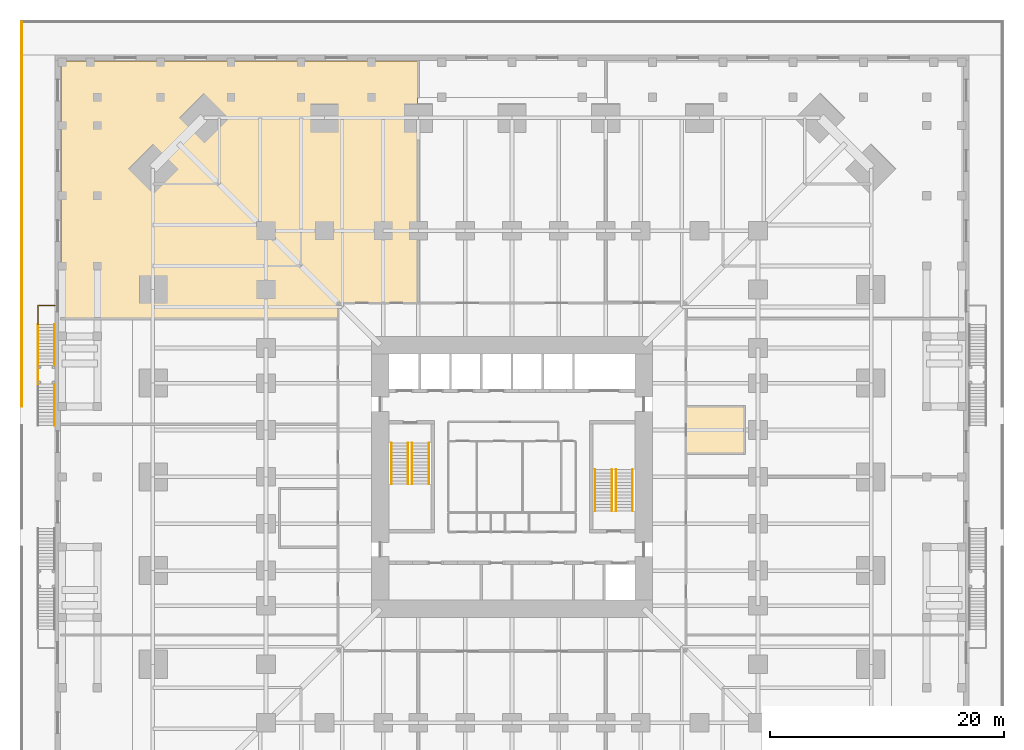
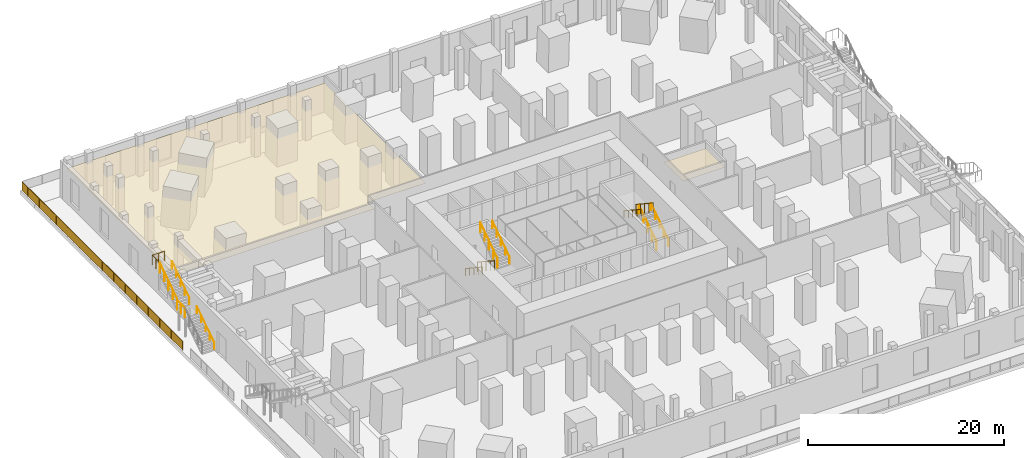
# One storey, part 19 of 22: 14 railings, 2 coverings.
"""IFC4 building model written with IfcOpenShell, lengths in metres."""

from ifc_helpers import new_model, si_unit, direction, frame, origin, origin_2d, place, context, subcontext, project, spatial, polyline, rectangle, circle, outline, extrude, material, layer, layer_set, type_object, element, save


model = new_model("IFC4")

# Units and contexts
model_context = context("Model", 3, precision=1e-05, world=origin(), true_north=direction((0.0, 1.0)))
body_context = subcontext(model_context, "Body", "Model", "MODEL_VIEW")
ifc_project = project(units=[si_unit("LENGTHUNIT", "METRE"), si_unit("AREAUNIT", "SQUARE_METRE"), si_unit("VOLUMEUNIT", "CUBIC_METRE"), si_unit("PLANEANGLEUNIT", "RADIAN"), si_unit("MASSUNIT", "GRAM", prefix="KILO")], contexts=[model_context])

# Site, building, storey
site_placement = place(None, origin())
site = spatial("IfcSite", under=ifc_project, at=site_placement, CompositionType="ELEMENT")
building_placement = place(site_placement, origin())
building = spatial("IfcBuilding", under=site, at=building_placement, Name="Peilmerk Tower", CompositionType="ELEMENT")
storey_placement = place(building_placement, frame((0.0, 0.0, 6.0)))
storey = spatial("IfcBuildingStorey", under=building, at=storey_placement, Name="L01", CompositionType="ELEMENT", Elevation=6.0)

# Coverings
ifc_material_1 = material(Name="Mineral fibre ceiling tiles", Category="mineral")
ifc_layer = layer(ifc_material_1, 0.02490234375)
ifc_layer_set = layer_set([ifc_layer], Name="Mineral fibre ceiling tiles")
covering_type = type_object("IfcCoveringType", Name="CL1 25 suspended ceiling", PredefinedType="CEILING", material=ifc_layer_set)
covering_1_placement = place(storey_placement, frame((0.0, 0.0, 3.625)))
element("IfcCovering", 1, at=covering_1_placement, inside=storey, type_object=covering_type, Name="Suspended ceiling Carrier reception", PredefinedType="CEILING", context=body_context, shape_type="SweptSolid", body=[
    extrude(outline(polyline([(-38.5, 35.5), (-38.5, 13.550048828125), (-14.89990234375, 13.550048828125), (-14.89990234375, 14.89990234375), (-8.050048828125, 14.89990234375), (-8.050048828125, 35.5), (-38.5, 35.5)])), origin(), (0.0, 0.0, 1.0), 0.02490234375),
])
covering_2_placement = place(storey_placement, frame((0.0, 0.0, 3.625)))
element("IfcCovering", 2, at=covering_2_placement, inside=storey, type_object=covering_type, Name="Suspended ceiling Customer meeting room", PredefinedType="CEILING", context=body_context, shape_type="SweptSolid", body=[
    extrude(outline(polyline([(19.800048828125, 2.050048828125), (19.800048828125, 5.949951171875), (14.89990234375, 5.949951171875), (14.89990234375, 2.050048828125), (19.800048828125, 2.050048828125)])), origin(), (0.0, 0.0, 1.0), 0.02490234375),
])

# Railings
ifc_material_2 = material(Name="Steel flat bar balustrade", Category="steel")
railing_type_1 = type_object("IfcRailingType", Name="GR1 1200 stair guard", PredefinedType="GUARDRAIL", material=ifc_material_2)
railing_1_placement = place(storey_placement, frame((-8.8798828125, 2.89990234375, 0.178466796875)))
element("IfcRailing", 3, at=railing_1_placement, inside=storey, type_object=railing_type_1, Name="Guard stair 1 L01", PredefinedType="GUARDRAIL", context=body_context, shape_type="SweptSolid", body=[
    extrude(circle(Radius=0.02392578125, at=origin_2d()), frame((0.0, 0.0, 1.17578125), z_axis=(0.0, -0.834070780157, 0.551657442339), x_axis=(1.0, 0.0, 0.0)), (0.0, 0.0, 1.0), 4.208251953125),
    extrude(circle(Radius=0.02099609375, at=origin_2d()), origin(), (0.0, 0.0, 1.0), 1.15185546875),
    extrude(circle(Radius=0.02099609375, at=origin_2d()), frame((0.0, -0.87744140625, 0.580322265625)), (0.0, 0.0, 1.0), 1.15185546875),
    extrude(circle(Radius=0.02099609375, at=origin_2d()), frame((0.0, -1.7548828125, 1.16064453125)), (0.0, 0.0, 1.0), 1.15185546875),
    extrude(circle(Radius=0.02099609375, at=origin_2d()), frame((0.0, -2.632568359375, 1.7412109375)), (0.0, 0.0, 1.0), 1.15185546875),
    extrude(circle(Radius=0.02099609375, at=origin_2d()), frame((0.0, -3.510009765625, 2.321533203125)), (0.0, 0.0, 1.0), 1.15185546875),
])
for number, where, name in (
    (4, (-8.52001953125, -0.610107421875, 2.678466796875), "Guard stair 1 L01"),
    (5, (8.8798828125, -2.89990234375, 0.178466796875), "Guard stair 2 L01"),
):
    element("IfcRailing", number, at=place(storey_placement, frame(where)), inside=storey, type_object=railing_type_1, Name=name, PredefinedType="GUARDRAIL", context=body_context, shape_type="SweptSolid", body=[
        extrude(circle(Radius=0.02392578125, at=origin_2d()), frame((0.0, 0.0, 1.17578125), z_axis=(0.0, 0.834070780157, 0.551657442339), x_axis=(-1.0, 0.0, 0.0)), (0.0, 0.0, 1.0), 4.208251953125),
        extrude(circle(Radius=0.02099609375, at=origin_2d()), origin(), (0.0, 0.0, 1.0), 1.15185546875),
        extrude(circle(Radius=0.02099609375, at=origin_2d()), frame((0.0, 0.87744140625, 0.580322265625)), (0.0, 0.0, 1.0), 1.15185546875),
        extrude(circle(Radius=0.02099609375, at=origin_2d()), frame((0.0, 1.7548828125, 1.16064453125)), (0.0, 0.0, 1.0), 1.15185546875),
        extrude(circle(Radius=0.02099609375, at=origin_2d()), frame((0.0, 2.632568359375, 1.7412109375)), (0.0, 0.0, 1.0), 1.15185546875),
        extrude(circle(Radius=0.02099609375, at=origin_2d()), frame((0.0, 3.510009765625, 2.321533203125)), (0.0, 0.0, 1.0), 1.15185546875),
    ])
railing_2_placement = place(storey_placement, frame((8.52001953125, 0.610107421875, 2.678466796875)))
element("IfcRailing", 6, at=railing_2_placement, inside=storey, type_object=railing_type_1, Name="Guard stair 2 L01", PredefinedType="GUARDRAIL", context=body_context, shape_type="SweptSolid", body=[
    extrude(circle(Radius=0.02392578125, at=origin_2d()), frame((0.0, 0.0, 1.17578125), z_axis=(0.0, -0.834070780157, 0.551657442339), x_axis=(1.0, 0.0, 0.0)), (0.0, 0.0, 1.0), 4.208251953125),
    extrude(circle(Radius=0.02099609375, at=origin_2d()), origin(), (0.0, 0.0, 1.0), 1.15185546875),
    extrude(circle(Radius=0.02099609375, at=origin_2d()), frame((0.0, -0.87744140625, 0.580322265625)), (0.0, 0.0, 1.0), 1.15185546875),
    extrude(circle(Radius=0.02099609375, at=origin_2d()), frame((0.0, -1.7548828125, 1.16064453125)), (0.0, 0.0, 1.0), 1.15185546875),
    extrude(circle(Radius=0.02099609375, at=origin_2d()), frame((0.0, -2.632568359375, 1.7412109375)), (0.0, 0.0, 1.0), 1.15185546875),
    extrude(circle(Radius=0.02099609375, at=origin_2d()), frame((0.0, -3.510009765625, 2.321533203125)), (0.0, 0.0, 1.0), 1.15185546875),
])
railing_3_placement = place(storey_placement, frame((-40.469970703125, 9.510009765625, 2.678466796875)))
element("IfcRailing", 7, at=railing_3_placement, inside=storey, type_object=railing_type_1, Name="Guard external stair 5 L01", PredefinedType="GUARDRAIL", context=body_context, shape_type="SweptSolid", body=[
    extrude(circle(Radius=0.02392578125, at=origin_2d()), frame((0.0, 0.0, 1.17578125), z_axis=(0.0, 0.834070780157, 0.551657442339), x_axis=(-1.0, 0.0, 0.0)), (0.0, 0.0, 1.0), 4.208251953125),
    extrude(circle(Radius=0.02099609375, at=origin_2d()), origin(), (0.0, 0.0, 1.0), 1.15185546875),
    extrude(circle(Radius=0.02099609375, at=origin_2d()), frame((0.0, 0.87744140625, 0.580322265625)), (0.0, 0.0, 1.0), 1.15185546875),
    extrude(circle(Radius=0.02099609375, at=origin_2d()), frame((0.0, 1.7548828125, 1.16064453125)), (0.0, 0.0, 1.0), 1.15185546875),
    extrude(circle(Radius=0.02099609375, at=origin_2d()), frame((0.0, 2.632568359375, 1.7412109375)), (0.0, 0.0, 1.0), 1.15185546875),
    extrude(circle(Radius=0.02099609375, at=origin_2d()), frame((0.0, 3.510009765625, 2.321533203125)), (0.0, 0.0, 1.0), 1.15185546875),
])
railing_4_placement = place(storey_placement, frame((-40.469970703125, 7.909912109375, 2.5)))
element("IfcRailing", 8, at=railing_4_placement, inside=storey, type_object=railing_type_1, Name="Guard external stair 5 L01", PredefinedType="GUARDRAIL", context=body_context, shape_type="SweptSolid", body=[
    extrude(circle(Radius=0.02392578125, at=origin_2d()), frame((0.0, 0.0, 1.17578125), z_axis=(0.0, 1.0, 0.0), x_axis=(-1.0, 0.0, 0.0)), (0.0, 0.0, 1.0), 1.60009765625),
    extrude(circle(Radius=0.02099609375, at=origin_2d()), origin(), (0.0, 0.0, 1.0), 1.15185546875),
    extrude(circle(Radius=0.02099609375, at=origin_2d()), frame((0.0, 0.800048828125, 0.0)), (0.0, 0.0, 1.0), 1.15185546875),
    extrude(circle(Radius=0.02099609375, at=origin_2d()), frame((0.0, 1.60009765625, 0.0)), (0.0, 0.0, 1.0), 1.15185546875),
])
railing_5_placement = place(storey_placement, frame((-40.469970703125, 13.02001953125, 5.0)))
element("IfcRailing", 9, at=railing_5_placement, inside=storey, type_object=railing_type_1, Name="Guard external stair 5 L01", PredefinedType="GUARDRAIL", context=body_context, shape_type="SweptSolid", body=[
    extrude(circle(Radius=0.02392578125, at=origin_2d()), frame((0.0, 0.0, 1.17578125), z_axis=(0.0, 1.0, 0.0), x_axis=(-1.0, 0.0, 0.0)), (0.0, 0.0, 1.0), 1.60009765625),
    extrude(circle(Radius=0.02392578125, at=origin_2d()), frame((0.0, 1.60009765625, 1.17578125), z_axis=(1.0, 0.0, 0.0), x_axis=(0.0, 1.0, 0.0)), (0.0, 0.0, 1.0), 1.43994140625),
    extrude(circle(Radius=0.02099609375, at=origin_2d()), origin(), (0.0, 0.0, 1.0), 1.15185546875),
    extrude(circle(Radius=0.02099609375, at=origin_2d()), frame((0.0, 0.800048828125, 0.0)), (0.0, 0.0, 1.0), 1.15185546875),
    extrude(circle(Radius=0.02099609375, at=origin_2d()), frame((0.0, 1.60009765625, 0.0)), (0.0, 0.0, 1.0), 1.15185546875),
    extrude(circle(Radius=0.02099609375, at=origin_2d()), frame((0.719970703125, 1.60009765625, 0.0)), (0.0, 0.0, 1.0), 1.15185546875),
    extrude(circle(Radius=0.02099609375, at=origin_2d()), frame((1.43994140625, 1.60009765625, 0.0)), (0.0, 0.0, 1.0), 1.15185546875),
])
ifc_material_3 = material(Name="Galvanised steel posts and top rail, laminated glass infill 16", Category="steel")
railing_type_2 = type_object("IfcRailingType", Name="GR2 1200 terrace balustrade", PredefinedType="BALUSTRADE", material=ifc_material_3)
railing_6_placement = place(storey_placement, frame((-41.85009765625, 6.0, 0.0)))
element("IfcRailing", 10, at=railing_6_placement, inside=storey, type_object=railing_type_2, Name="Terrace balustrade L01", PredefinedType="BALUSTRADE", context=body_context, shape_type="SweptSolid", body=[
    extrude(circle(Radius=0.02392578125, at=origin_2d()), frame((0.0, 0.0, 1.17578125), z_axis=(0.0, 1.0, 0.0), x_axis=(-1.0, 0.0, 0.0)), (0.0, 0.0, 1.0), 32.85009765625),
    extrude(circle(Radius=0.02099609375, at=origin_2d()), origin(), (0.0, 0.0, 1.0), 1.15185546875),
    extrude(circle(Radius=0.02099609375, at=origin_2d()), frame((0.0, 1.17333984375, 0.0)), (0.0, 0.0, 1.0), 1.15185546875),
    extrude(circle(Radius=0.02099609375, at=origin_2d()), frame((0.0, 2.346435546875, 0.0)), (0.0, 0.0, 1.0), 1.15185546875),
    extrude(circle(Radius=0.02099609375, at=origin_2d()), frame((0.0, 3.51953125, 0.0)), (0.0, 0.0, 1.0), 1.15185546875),
    extrude(circle(Radius=0.02099609375, at=origin_2d()), frame((0.0, 4.69287109375, 0.0)), (0.0, 0.0, 1.0), 1.15185546875),
    extrude(circle(Radius=0.02099609375, at=origin_2d()), frame((0.0, 5.8662109375, 0.0)), (0.0, 0.0, 1.0), 1.15185546875),
    extrude(circle(Radius=0.02099609375, at=origin_2d()), frame((0.0, 7.039306640625, 0.0)), (0.0, 0.0, 1.0), 1.15185546875),
    extrude(circle(Radius=0.02099609375, at=origin_2d()), frame((0.0, 8.21240234375, 0.0)), (0.0, 0.0, 1.0), 1.15185546875),
    extrude(circle(Radius=0.02099609375, at=origin_2d()), frame((0.0, 9.3857421875, 0.0)), (0.0, 0.0, 1.0), 1.15185546875),
    extrude(circle(Radius=0.02099609375, at=origin_2d()), frame((0.0, 10.55908203125, 0.0)), (0.0, 0.0, 1.0), 1.15185546875),
    extrude(circle(Radius=0.02099609375, at=origin_2d()), frame((0.0, 11.732177734375, 0.0)), (0.0, 0.0, 1.0), 1.15185546875),
    extrude(circle(Radius=0.02099609375, at=origin_2d()), frame((0.0, 12.9052734375, 0.0)), (0.0, 0.0, 1.0), 1.15185546875),
    extrude(circle(Radius=0.02099609375, at=origin_2d()), frame((0.0, 14.07861328125, 0.0)), (0.0, 0.0, 1.0), 1.15185546875),
    extrude(circle(Radius=0.02099609375, at=origin_2d()), frame((0.0, 15.251953125, 0.0)), (0.0, 0.0, 1.0), 1.15185546875),
    extrude(circle(Radius=0.02099609375, at=origin_2d()), frame((0.0, 16.425048828125, 0.0)), (0.0, 0.0, 1.0), 1.15185546875),
    extrude(circle(Radius=0.02099609375, at=origin_2d()), frame((0.0, 17.59814453125, 0.0)), (0.0, 0.0, 1.0), 1.15185546875),
    extrude(circle(Radius=0.02099609375, at=origin_2d()), frame((0.0, 18.771484375, 0.0)), (0.0, 0.0, 1.0), 1.15185546875),
    extrude(circle(Radius=0.02099609375, at=origin_2d()), frame((0.0, 19.94482421875, 0.0)), (0.0, 0.0, 1.0), 1.15185546875),
    extrude(circle(Radius=0.02099609375, at=origin_2d()), frame((0.0, 21.117919921875, 0.0)), (0.0, 0.0, 1.0), 1.15185546875),
    extrude(circle(Radius=0.02099609375, at=origin_2d()), frame((0.0, 22.291015625, 0.0)), (0.0, 0.0, 1.0), 1.15185546875),
    extrude(circle(Radius=0.02099609375, at=origin_2d()), frame((0.0, 23.46435546875, 0.0)), (0.0, 0.0, 1.0), 1.15185546875),
    extrude(circle(Radius=0.02099609375, at=origin_2d()), frame((0.0, 24.6376953125, 0.0)), (0.0, 0.0, 1.0), 1.15185546875),
    extrude(circle(Radius=0.02099609375, at=origin_2d()), frame((0.0, 25.810791015625, 0.0)), (0.0, 0.0, 1.0), 1.15185546875),
    extrude(circle(Radius=0.02099609375, at=origin_2d()), frame((0.0, 26.98388671875, 0.0)), (0.0, 0.0, 1.0), 1.15185546875),
    extrude(circle(Radius=0.02099609375, at=origin_2d()), frame((0.0, 28.1572265625, 0.0)), (0.0, 0.0, 1.0), 1.15185546875),
    extrude(circle(Radius=0.02099609375, at=origin_2d()), frame((0.0, 29.33056640625, 0.0)), (0.0, 0.0, 1.0), 1.15185546875),
    extrude(circle(Radius=0.02099609375, at=origin_2d()), frame((0.0, 30.503662109375, 0.0)), (0.0, 0.0, 1.0), 1.15185546875),
    extrude(circle(Radius=0.02099609375, at=origin_2d()), frame((0.0, 31.6767578125, 0.0)), (0.0, 0.0, 1.0), 1.15185546875),
    extrude(circle(Radius=0.02099609375, at=origin_2d()), frame((0.0, 32.85009765625, 0.0)), (0.0, 0.0, 1.0), 1.15185546875),
    extrude(rectangle(XDim=1.13134765625, YDim=0.01611328125, at=origin_2d()), frame((0.0, 0.586669921875, 0.050048828125), z_axis=(0.0, 0.0, 1.0), x_axis=(0.0, 1.0, 0.0)), (0.0, 0.0, 1.0), 1.101806640625),
    extrude(rectangle(XDim=1.13134765625, YDim=0.01611328125, at=origin_2d()), frame((0.0, 1.759765625, 0.050048828125), z_axis=(0.0, 0.0, 1.0), x_axis=(0.0, 1.0, 0.0)), (0.0, 0.0, 1.0), 1.101806640625),
    extrude(rectangle(XDim=1.13134765625, YDim=0.01611328125, at=origin_2d()), frame((0.0, 2.93310546875, 0.050048828125), z_axis=(0.0, 0.0, 1.0), x_axis=(0.0, 1.0, 0.0)), (0.0, 0.0, 1.0), 1.101806640625),
    extrude(rectangle(XDim=1.13134765625, YDim=0.01611328125, at=origin_2d()), frame((0.0, 4.106201171875, 0.050048828125), z_axis=(0.0, 0.0, 1.0), x_axis=(0.0, 1.0, 0.0)), (0.0, 0.0, 1.0), 1.101806640625),
    extrude(rectangle(XDim=1.13134765625, YDim=0.01611328125, at=origin_2d()), frame((0.0, 5.279541015625, 0.050048828125), z_axis=(0.0, 0.0, 1.0), x_axis=(0.0, 1.0, 0.0)), (0.0, 0.0, 1.0), 1.101806640625),
    extrude(rectangle(XDim=1.13134765625, YDim=0.01611328125, at=origin_2d()), frame((0.0, 6.45263671875, 0.050048828125), z_axis=(0.0, 0.0, 1.0), x_axis=(0.0, 1.0, 0.0)), (0.0, 0.0, 1.0), 1.101806640625),
    extrude(rectangle(XDim=1.13134765625, YDim=0.01611328125, at=origin_2d()), frame((0.0, 7.6259765625, 0.050048828125), z_axis=(0.0, 0.0, 1.0), x_axis=(0.0, 1.0, 0.0)), (0.0, 0.0, 1.0), 1.101806640625),
    extrude(rectangle(XDim=1.13134765625, YDim=0.01611328125, at=origin_2d()), frame((0.0, 8.799072265625, 0.050048828125), z_axis=(0.0, 0.0, 1.0), x_axis=(0.0, 1.0, 0.0)), (0.0, 0.0, 1.0), 1.101806640625),
    extrude(rectangle(XDim=1.13134765625, YDim=0.01611328125, at=origin_2d()), frame((0.0, 9.972412109375, 0.050048828125), z_axis=(0.0, 0.0, 1.0), x_axis=(0.0, 1.0, 0.0)), (0.0, 0.0, 1.0), 1.101806640625),
    extrude(rectangle(XDim=1.13134765625, YDim=0.01611328125, at=origin_2d()), frame((0.0, 11.1455078125, 0.050048828125), z_axis=(0.0, 0.0, 1.0), x_axis=(0.0, 1.0, 0.0)), (0.0, 0.0, 1.0), 1.101806640625),
    extrude(rectangle(XDim=1.13134765625, YDim=0.01611328125, at=origin_2d()), frame((0.0, 12.31884765625, 0.050048828125), z_axis=(0.0, 0.0, 1.0), x_axis=(0.0, 1.0, 0.0)), (0.0, 0.0, 1.0), 1.101806640625),
    extrude(rectangle(XDim=1.13134765625, YDim=0.01611328125, at=origin_2d()), frame((0.0, 13.491943359375, 0.050048828125), z_axis=(0.0, 0.0, 1.0), x_axis=(0.0, 1.0, 0.0)), (0.0, 0.0, 1.0), 1.101806640625),
    extrude(rectangle(XDim=1.13134765625, YDim=0.01611328125, at=origin_2d()), frame((0.0, 14.665283203125, 0.050048828125), z_axis=(0.0, 0.0, 1.0), x_axis=(0.0, 1.0, 0.0)), (0.0, 0.0, 1.0), 1.101806640625),
    extrude(rectangle(XDim=1.13134765625, YDim=0.01611328125, at=origin_2d()), frame((0.0, 15.83837890625, 0.050048828125), z_axis=(0.0, 0.0, 1.0), x_axis=(0.0, 1.0, 0.0)), (0.0, 0.0, 1.0), 1.101806640625),
    extrude(rectangle(XDim=1.13134765625, YDim=0.01611328125, at=origin_2d()), frame((0.0, 17.01171875, 0.050048828125), z_axis=(0.0, 0.0, 1.0), x_axis=(0.0, 1.0, 0.0)), (0.0, 0.0, 1.0), 1.101806640625),
    extrude(rectangle(XDim=1.13134765625, YDim=0.01611328125, at=origin_2d()), frame((0.0, 18.184814453125, 0.050048828125), z_axis=(0.0, 0.0, 1.0), x_axis=(0.0, 1.0, 0.0)), (0.0, 0.0, 1.0), 1.101806640625),
    extrude(rectangle(XDim=1.13134765625, YDim=0.01611328125, at=origin_2d()), frame((0.0, 19.358154296875, 0.050048828125), z_axis=(0.0, 0.0, 1.0), x_axis=(0.0, 1.0, 0.0)), (0.0, 0.0, 1.0), 1.101806640625),
    extrude(rectangle(XDim=1.13134765625, YDim=0.01611328125, at=origin_2d()), frame((0.0, 20.53125, 0.050048828125), z_axis=(0.0, 0.0, 1.0), x_axis=(0.0, 1.0, 0.0)), (0.0, 0.0, 1.0), 1.101806640625),
    extrude(rectangle(XDim=1.13134765625, YDim=0.01611328125, at=origin_2d()), frame((0.0, 21.70458984375, 0.050048828125), z_axis=(0.0, 0.0, 1.0), x_axis=(0.0, 1.0, 0.0)), (0.0, 0.0, 1.0), 1.101806640625),
    extrude(rectangle(XDim=1.13134765625, YDim=0.01611328125, at=origin_2d()), frame((0.0, 22.877685546875, 0.050048828125), z_axis=(0.0, 0.0, 1.0), x_axis=(0.0, 1.0, 0.0)), (0.0, 0.0, 1.0), 1.101806640625),
    extrude(rectangle(XDim=1.13134765625, YDim=0.01611328125, at=origin_2d()), frame((0.0, 24.051025390625, 0.050048828125), z_axis=(0.0, 0.0, 1.0), x_axis=(0.0, 1.0, 0.0)), (0.0, 0.0, 1.0), 1.101806640625),
    extrude(rectangle(XDim=1.13134765625, YDim=0.01611328125, at=origin_2d()), frame((0.0, 25.22412109375, 0.050048828125), z_axis=(0.0, 0.0, 1.0), x_axis=(0.0, 1.0, 0.0)), (0.0, 0.0, 1.0), 1.101806640625),
    extrude(rectangle(XDim=1.13134765625, YDim=0.01611328125, at=origin_2d()), frame((0.0, 26.3974609375, 0.050048828125), z_axis=(0.0, 0.0, 1.0), x_axis=(0.0, 1.0, 0.0)), (0.0, 0.0, 1.0), 1.101806640625),
    extrude(rectangle(XDim=1.13134765625, YDim=0.01611328125, at=origin_2d()), frame((0.0, 27.570556640625, 0.050048828125), z_axis=(0.0, 0.0, 1.0), x_axis=(0.0, 1.0, 0.0)), (0.0, 0.0, 1.0), 1.101806640625),
    extrude(rectangle(XDim=1.13134765625, YDim=0.01611328125, at=origin_2d()), frame((0.0, 28.743896484375, 0.050048828125), z_axis=(0.0, 0.0, 1.0), x_axis=(0.0, 1.0, 0.0)), (0.0, 0.0, 1.0), 1.101806640625),
    extrude(rectangle(XDim=1.13134765625, YDim=0.01611328125, at=origin_2d()), frame((0.0, 29.9169921875, 0.050048828125), z_axis=(0.0, 0.0, 1.0), x_axis=(0.0, 1.0, 0.0)), (0.0, 0.0, 1.0), 1.101806640625),
    extrude(rectangle(XDim=1.13134765625, YDim=0.01611328125, at=origin_2d()), frame((0.0, 31.09033203125, 0.050048828125), z_axis=(0.0, 0.0, 1.0), x_axis=(0.0, 1.0, 0.0)), (0.0, 0.0, 1.0), 1.101806640625),
    extrude(rectangle(XDim=1.13134765625, YDim=0.01611328125, at=origin_2d()), frame((0.0, 32.263427734375, 0.050048828125), z_axis=(0.0, 0.0, 1.0), x_axis=(0.0, 1.0, 0.0)), (0.0, 0.0, 1.0), 1.101806640625),
])
ifc_material_4 = material(Name="Stainless steel tube", Category="steel")
railing_type_3 = type_object("IfcRailingType", Name="HR1 900 stair handrail", PredefinedType="HANDRAIL", material=ifc_material_4)
railing_7_placement = place(storey_placement, frame((-10.300048828125, 2.89990234375, 0.178466796875)))
element("IfcRailing", 11, at=railing_7_placement, inside=storey, type_object=railing_type_3, Name="Handrail stair 1 L01", PredefinedType="HANDRAIL", context=body_context, shape_type="SweptSolid", body=[
    extrude(circle(Radius=0.02392578125, at=origin_2d()), frame((0.0, 0.0, 0.8759765625), z_axis=(0.0, -0.834070780157, 0.551657442339), x_axis=(1.0, 0.0, 0.0)), (0.0, 0.0, 1.0), 4.208251953125),
    extrude(circle(Radius=0.02099609375, at=origin_2d()), origin(), (0.0, 0.0, 1.0), 0.851806640625),
    extrude(circle(Radius=0.02099609375, at=origin_2d()), frame((0.0, -0.87744140625, 0.580322265625)), (0.0, 0.0, 1.0), 0.851806640625),
    extrude(circle(Radius=0.02099609375, at=origin_2d()), frame((0.0, -1.7548828125, 1.16064453125)), (0.0, 0.0, 1.0), 0.851806640625),
    extrude(circle(Radius=0.02099609375, at=origin_2d()), frame((0.0, -2.632568359375, 1.7412109375)), (0.0, 0.0, 1.0), 0.851806640625),
    extrude(circle(Radius=0.02099609375, at=origin_2d()), frame((0.0, -3.510009765625, 2.321533203125)), (0.0, 0.0, 1.0), 0.851806640625),
])
for number, where, name in (
    (12, (-7.10009765625, -0.610107421875, 2.678466796875), "Handrail stair 1 L01"),
    (13, (10.300048828125, -2.89990234375, 0.178466796875), "Handrail stair 2 L01"),
):
    element("IfcRailing", number, at=place(storey_placement, frame(where)), inside=storey, type_object=railing_type_3, Name=name, PredefinedType="HANDRAIL", context=body_context, shape_type="SweptSolid", body=[
        extrude(circle(Radius=0.02392578125, at=origin_2d()), frame((0.0, 0.0, 0.8759765625), z_axis=(0.0, 0.834070780157, 0.551657442339), x_axis=(-1.0, 0.0, 0.0)), (0.0, 0.0, 1.0), 4.208251953125),
        extrude(circle(Radius=0.02099609375, at=origin_2d()), origin(), (0.0, 0.0, 1.0), 0.851806640625),
        extrude(circle(Radius=0.02099609375, at=origin_2d()), frame((0.0, 0.87744140625, 0.580322265625)), (0.0, 0.0, 1.0), 0.851806640625),
        extrude(circle(Radius=0.02099609375, at=origin_2d()), frame((0.0, 1.7548828125, 1.16064453125)), (0.0, 0.0, 1.0), 0.851806640625),
        extrude(circle(Radius=0.02099609375, at=origin_2d()), frame((0.0, 2.632568359375, 1.7412109375)), (0.0, 0.0, 1.0), 0.851806640625),
        extrude(circle(Radius=0.02099609375, at=origin_2d()), frame((0.0, 3.510009765625, 2.321533203125)), (0.0, 0.0, 1.0), 0.851806640625),
    ])
railing_8_placement = place(storey_placement, frame((7.10009765625, 0.610107421875, 2.678466796875)))
element("IfcRailing", 14, at=railing_8_placement, inside=storey, type_object=railing_type_3, Name="Handrail stair 2 L01", PredefinedType="HANDRAIL", context=body_context, shape_type="SweptSolid", body=[
    extrude(circle(Radius=0.02392578125, at=origin_2d()), frame((0.0, 0.0, 0.8759765625), z_axis=(0.0, -0.834070780157, 0.551657442339), x_axis=(1.0, 0.0, 0.0)), (0.0, 0.0, 1.0), 4.208251953125),
    extrude(circle(Radius=0.02099609375, at=origin_2d()), origin(), (0.0, 0.0, 1.0), 0.851806640625),
    extrude(circle(Radius=0.02099609375, at=origin_2d()), frame((0.0, -0.87744140625, 0.580322265625)), (0.0, 0.0, 1.0), 0.851806640625),
    extrude(circle(Radius=0.02099609375, at=origin_2d()), frame((0.0, -1.7548828125, 1.16064453125)), (0.0, 0.0, 1.0), 0.851806640625),
    extrude(circle(Radius=0.02099609375, at=origin_2d()), frame((0.0, -2.632568359375, 1.7412109375)), (0.0, 0.0, 1.0), 0.851806640625),
    extrude(circle(Radius=0.02099609375, at=origin_2d()), frame((0.0, -3.510009765625, 2.321533203125)), (0.0, 0.0, 1.0), 0.851806640625),
])
for number, where, name in (
    (15, (-39.050048828125, 4.39990234375, 0.178466796875), "Handrail external stair 5 L01"),
    (16, (-39.050048828125, 9.510009765625, 2.678466796875), "Handrail external stair 5 L01"),
):
    element("IfcRailing", number, at=place(storey_placement, frame(where)), inside=storey, type_object=railing_type_3, Name=name, PredefinedType="HANDRAIL", context=body_context, shape_type="SweptSolid", body=[
        extrude(circle(Radius=0.02392578125, at=origin_2d()), frame((0.0, 0.0, 0.8759765625), z_axis=(0.0, 0.834070780157, 0.551657442339), x_axis=(-1.0, 0.0, 0.0)), (0.0, 0.0, 1.0), 4.208251953125),
        extrude(circle(Radius=0.02099609375, at=origin_2d()), origin(), (0.0, 0.0, 1.0), 0.851806640625),
        extrude(circle(Radius=0.02099609375, at=origin_2d()), frame((0.0, 0.87744140625, 0.580322265625)), (0.0, 0.0, 1.0), 0.851806640625),
        extrude(circle(Radius=0.02099609375, at=origin_2d()), frame((0.0, 1.7548828125, 1.16064453125)), (0.0, 0.0, 1.0), 0.851806640625),
        extrude(circle(Radius=0.02099609375, at=origin_2d()), frame((0.0, 2.632568359375, 1.7412109375)), (0.0, 0.0, 1.0), 0.851806640625),
        extrude(circle(Radius=0.02099609375, at=origin_2d()), frame((0.0, 3.510009765625, 2.321533203125)), (0.0, 0.0, 1.0), 0.851806640625),
    ])

save(model, "model.ifc")
